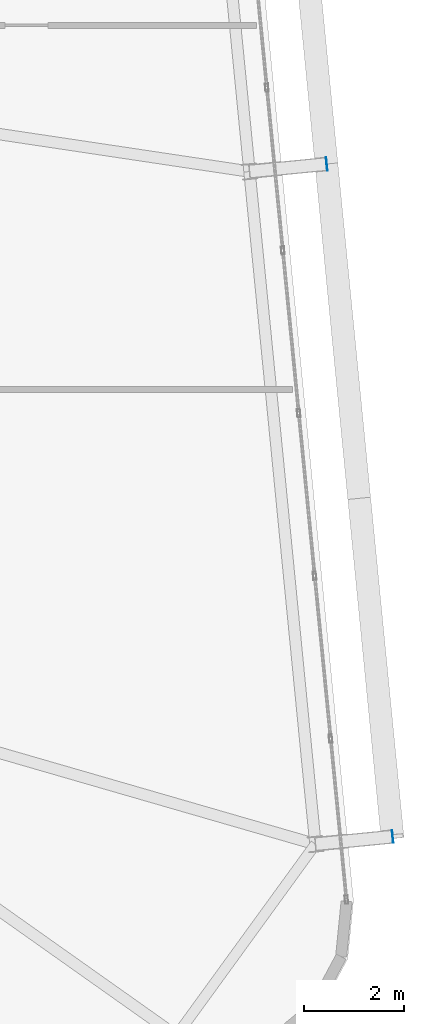
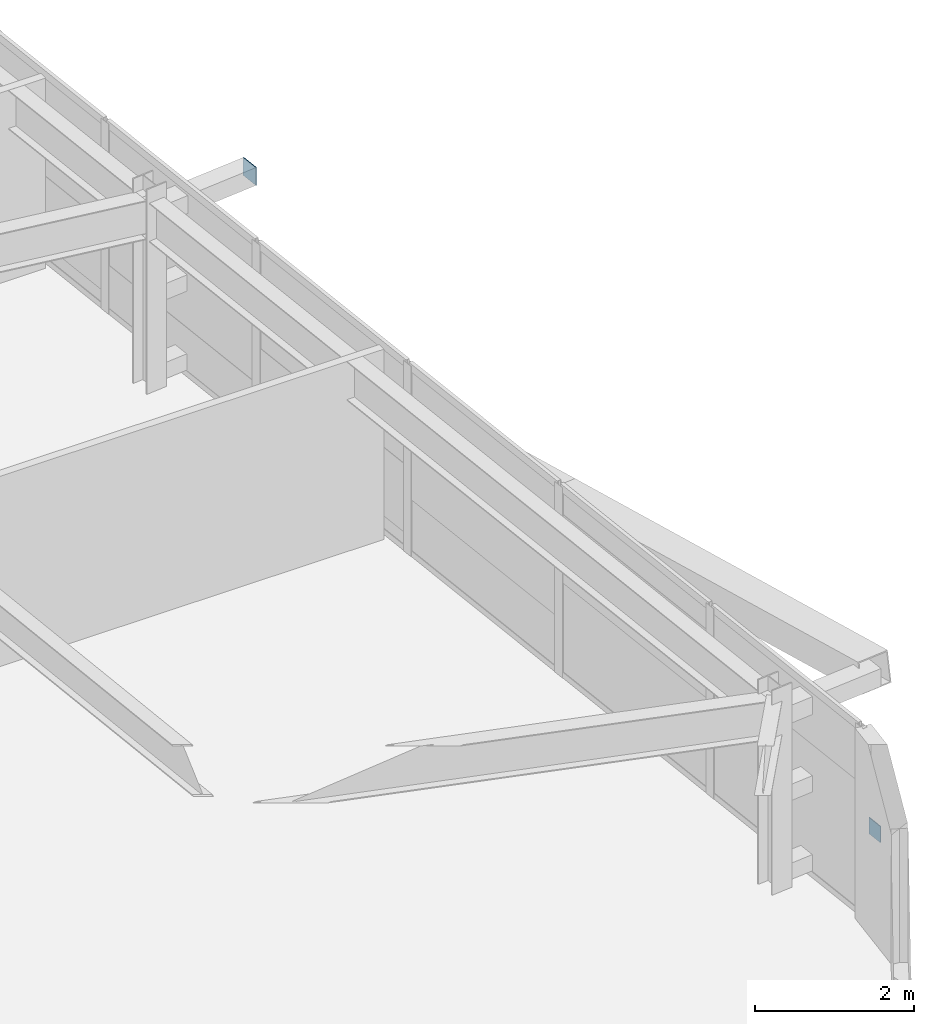
# One storey, part 42 of 52: 2 plates.
"""IFC4 building model written with IfcOpenShell, lengths in metres."""

from ifc_helpers import new_model, si_unit, direction, frame, origin, origin_2d, place, context, subcontext, project, spatial, rectangle, extrude, source, transform, mapped, material, layer, layer_set, type_object, element, save


model = new_model("IFC4")

# Units and contexts
model_context = context("Model", 3, precision=1e-05, world=origin(), true_north=direction((0.0, 1.0)))
body_context = subcontext(model_context, "Body", "Model", "MODEL_VIEW")
ifc_project = project(units=[si_unit("LENGTHUNIT", "METRE"), si_unit("AREAUNIT", "SQUARE_METRE"), si_unit("VOLUMEUNIT", "CUBIC_METRE"), si_unit("PLANEANGLEUNIT", "RADIAN"), si_unit("MASSUNIT", "GRAM", prefix="KILO")], contexts=[model_context])

# Site, building, storey
site_placement = place(None, origin())
site = spatial("IfcSite", under=ifc_project, at=site_placement, CompositionType="ELEMENT")
building_placement = place(site_placement, origin())
building = spatial("IfcBuilding", under=site, at=building_placement, Name="Taldren Reach Tower", CompositionType="ELEMENT")
storey_placement = place(building_placement, frame((0.0, 0.0, 96.60009765625)))
storey = spatial("IfcBuildingStorey", under=building, at=storey_placement, Name="L29", CompositionType="ELEMENT", Elevation=96.60009765625)

# Plates
ifc_material_1 = material(Name="Steel Gr 450 (C450L0)", Category="steel")
ifc_layer_1 = layer(ifc_material_1, 0.011962890625)
ifc_layer_set_1 = layer_set([ifc_layer_1], Name="Steel Gr 450 (C450L0)")
plate_type_1 = type_object("IfcPlateType", Name="PL-CAP-275", PredefinedType="SHEET", material=ifc_layer_set_1)
shared_shape_1 = source(origin(), body_context, "Body", "SweptSolid", [
    extrude(rectangle(XDim=0.011962890625, YDim=0.27490234375, at=origin_2d()), origin(), (0.0, 0.0, 1.0), 0.27490234375),
])
plate_1_placement = place(storey_placement, frame((66.1181640625, 22.120849609375, 2.512451171875), z_axis=(0.0, 0.0, 1.0), x_axis=(0.995227399982, 0.097582899759, 0.0)))
element("IfcPlate", 1, at=plate_1_placement, inside=storey, type_object=plate_type_1, Name="Tie strut end cap plate B2-E2 L29", PredefinedType="SHEET", context=body_context, shape_type="MappedRepresentation", body=[
    mapped(shared_shape_1, transform((0.0, 0.0, 0.0), scale=1.0)),
])
ifc_material_2 = material(Name="Steel Gr 350 (C350L0)", Category="steel")
ifc_layer_2 = layer(ifc_material_2, 0.011962890625)
ifc_layer_set_2 = layer_set([ifc_layer_2], Name="Steel Gr 350 (C350L0)")
plate_type_2 = type_object("IfcPlateType", Name="PL-CAP-250", PredefinedType="SHEET", material=ifc_layer_set_2)
shared_shape_2 = source(origin(), body_context, "Body", "SweptSolid", [
    extrude(rectangle(XDim=0.011962890625, YDim=0.25, at=origin_2d()), origin(), (0.0, 0.0, 1.0), 0.25),
])
plate_2_placement = place(storey_placement, frame((67.440185546875, 8.635498046875, 0.094970703125), z_axis=(0.0, 0.0, 1.0), x_axis=(0.995227399982, 0.097582899759, 0.0)))
element("IfcPlate", 2, at=plate_2_placement, inside=storey, type_object=plate_type_2, Name="Tie strut end cap plate B2-E1 L29", PredefinedType="SHEET", context=body_context, shape_type="MappedRepresentation", body=[
    mapped(shared_shape_2, transform((0.0, 0.0, 0.0), scale=1.0)),
])

save(model, "model.ifc")
